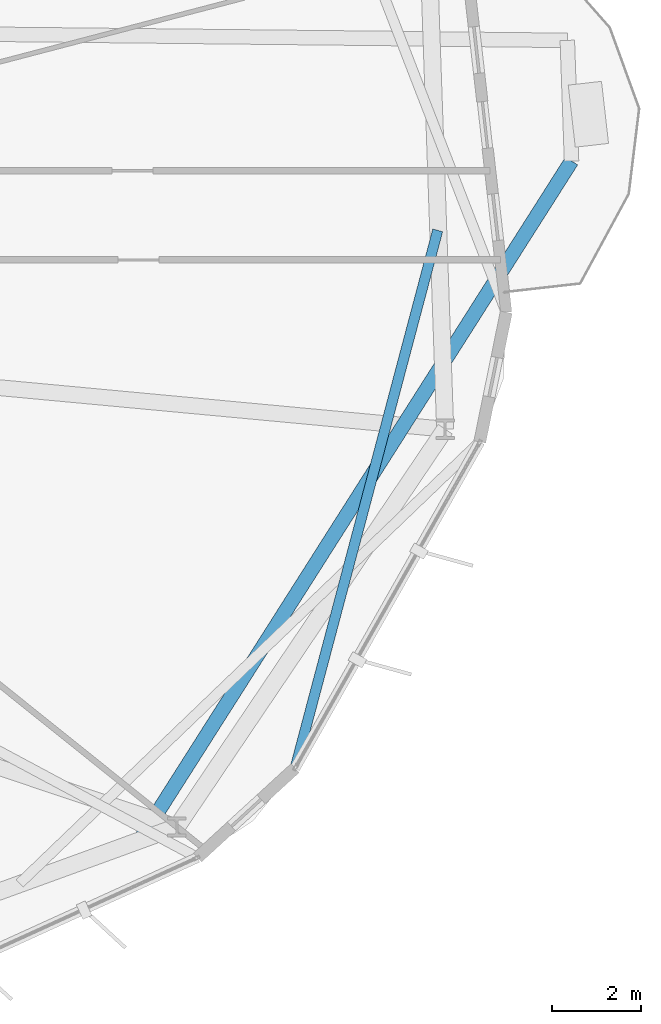
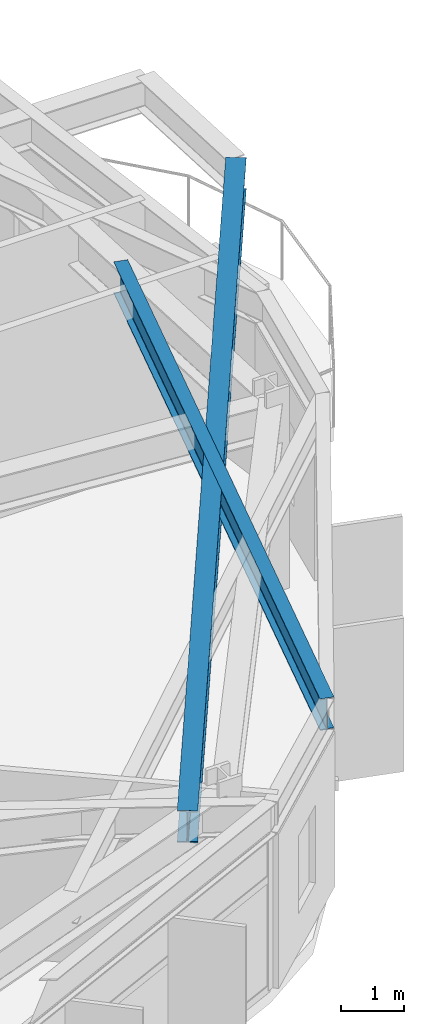
# One storey, part 11 of 23: 2 beams.
"""IFC4 building model written with IfcOpenShell, lengths in metres."""

from ifc_helpers import new_model, si_unit, direction, frame, origin, origin_2d, place, context, subcontext, project, spatial, i_section, extrude, material, material_profile, profile_set, type_object, element, save


model = new_model("IFC4")

# Units and contexts
model_context = context("Model", 3, precision=1e-05, world=origin(), true_north=direction((0.0, 1.0)))
body_context = subcontext(model_context, "Body", "Model", "MODEL_VIEW")
ifc_project = project(units=[si_unit("LENGTHUNIT", "METRE"), si_unit("AREAUNIT", "SQUARE_METRE"), si_unit("VOLUMEUNIT", "CUBIC_METRE"), si_unit("PLANEANGLEUNIT", "RADIAN"), si_unit("MASSUNIT", "GRAM", prefix="KILO")], contexts=[model_context])

# Site, building, storey
site_placement = place(None, origin())
site = spatial("IfcSite", under=ifc_project, at=site_placement, CompositionType="ELEMENT")
building_placement = place(site_placement, origin())
building = spatial("IfcBuilding", under=site, at=building_placement, Name="Soratama Intermodal Tower", CompositionType="ELEMENT")
storey_placement = place(building_placement, frame((0.0, 0.0, 122.5)))
storey = spatial("IfcBuildingStorey", under=building, at=storey_placement, Name="L29", CompositionType="ELEMENT", Elevation=122.5)

# Beams
ifc_material_1 = material(Name="Structural steel ASTM A992 Grade 50", Category="steel")
ifc_material_profile_1 = material_profile(ifc_material_1, i_section(OverallWidth=0.324951171875, OverallDepth=0.615966796875, WebThickness=0.013916015625, FlangeThickness=0.021484375, FilletRadius=0.013916015625, at=origin_2d()), Name="W24X117")
ifc_profile_set_1 = profile_set([ifc_material_profile_1], Name="Structural steel ASTM A992 Grade 50")
beam_type_1 = type_object("IfcBeamType", Name="BM-CANT-W24X117", PredefinedType="BEAM", material=ifc_profile_set_1)
beam_1_placement = place(storey_placement, frame((54.89892578125, 11.01806640625, 3.2919921875), z_axis=(0.536428908615, 0.843945511276, 0.0), x_axis=(-0.843945511276, 0.536428908615, 0.0)))
element("IfcBeam", 1, at=beam_1_placement, inside=storey, type_object=beam_type_1, Name="BM-L29-CANT-1-1", PredefinedType="BEAM", context=body_context, shape_type="SweptSolid", body=[
    extrude(i_section(OverallWidth=0.324951171875, OverallDepth=0.615966796875, WebThickness=0.013916015625, FlangeThickness=0.021484375, FilletRadius=0.013916015625, at=origin_2d()), origin(), (0.0, 0.0, 1.0), 18.00830078125),
])
ifc_material_2 = material(Name="Structural steel ASTM A992 Grade 50", Category="steel")
ifc_material_profile_2 = material_profile(ifc_material_2, i_section(OverallWidth=0.22900390625, OverallDepth=0.612060546875, WebThickness=0.011962890625, FlangeThickness=0.01953125, FilletRadius=0.012939453125, at=origin_2d()), Name="W24X84")
ifc_profile_set_2 = profile_set([ifc_material_profile_2], Name="Structural steel ASTM A992 Grade 50")
beam_type_2 = type_object("IfcBeamType", Name="BM-TIE-W24X84", PredefinedType="BEAM", material=ifc_profile_set_2)
beam_2_placement = place(storey_placement, frame((61.55908203125, 24.662109375, 3.2939453125), z_axis=(-0.256372380633, -0.966578089162, 0.0), x_axis=(0.966578089162, -0.256372380633, 0.0)))
element("IfcBeam", 2, at=beam_2_placement, inside=storey, type_object=beam_type_2, Name="BM-L29-TIE0-09", PredefinedType="BEAM", context=body_context, shape_type="SweptSolid", body=[
    extrude(i_section(OverallWidth=0.22900390625, OverallDepth=0.612060546875, WebThickness=0.011962890625, FlangeThickness=0.01953125, FilletRadius=0.012939453125, at=origin_2d()), origin(), (0.0, 0.0, 1.0), 12.47412109375),
])

save(model, "model.ifc")
